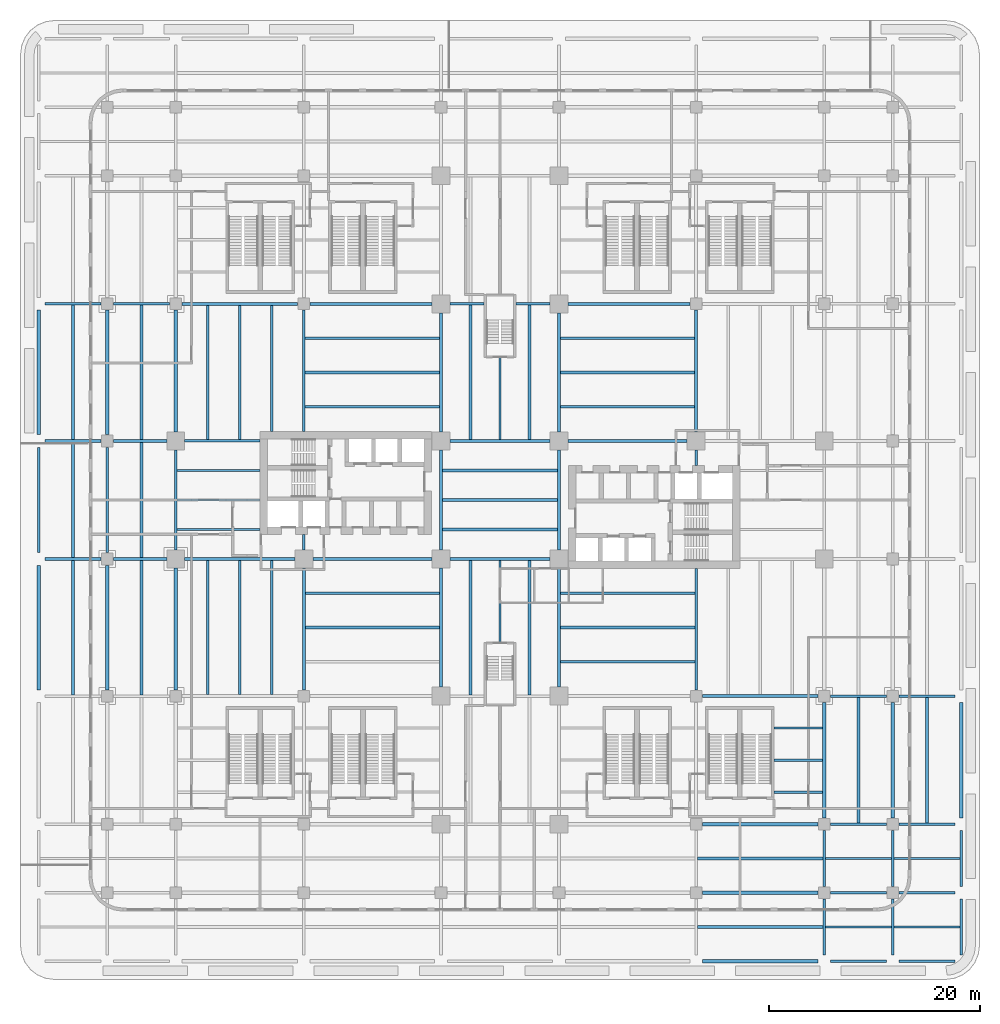
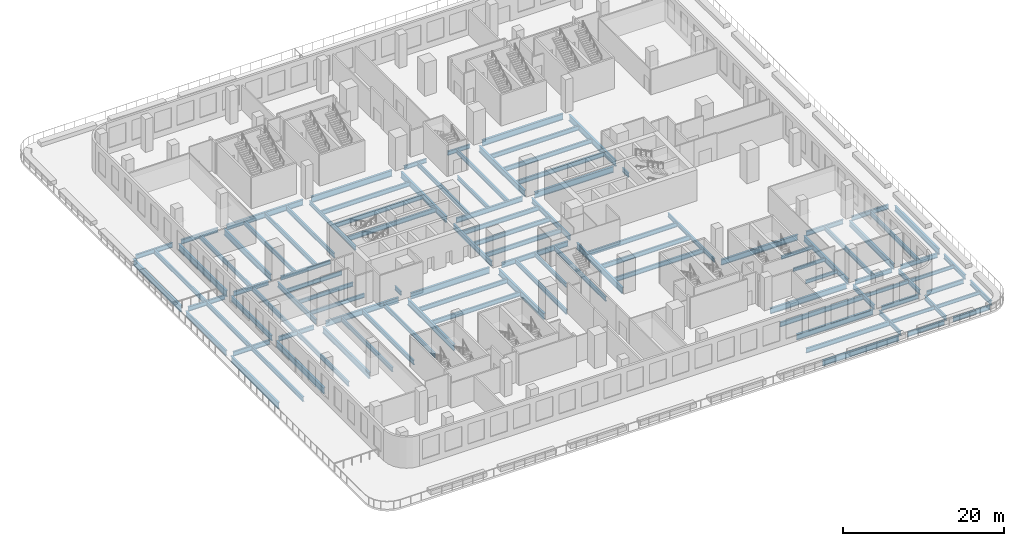
# One storey, part 2 of 18: 105 beams.
"""IFC4 building model written with IfcOpenShell, lengths in metres."""

from ifc_helpers import new_model, si_unit, direction, frame, origin, origin_2d, place, context, subcontext, project, spatial, i_section, extrude, source, transform, mapped, material, material_profile, profile_set, type_object, element, save


model = new_model("IFC4")

# Units and contexts
model_context = context("Model", 3, precision=1e-05, world=origin(), true_north=direction((0.0, 1.0)))
body_context = subcontext(model_context, "Body", "Model", "MODEL_VIEW")
ifc_project = project(units=[si_unit("LENGTHUNIT", "METRE"), si_unit("AREAUNIT", "SQUARE_METRE"), si_unit("VOLUMEUNIT", "CUBIC_METRE"), si_unit("PLANEANGLEUNIT", "RADIAN"), si_unit("MASSUNIT", "GRAM", prefix="KILO")], contexts=[model_context])

# Site, building, storey
site_placement = place(None, origin())
site = spatial("IfcSite", under=ifc_project, at=site_placement, CompositionType="ELEMENT")
building_placement = place(site_placement, origin())
building = spatial("IfcBuilding", under=site, at=building_placement, Name="Trellis Farm Tower", CompositionType="ELEMENT")
storey_placement = place(building_placement, frame((0.0, 0.0, 14.0)))
storey = spatial("IfcBuildingStorey", under=building, at=storey_placement, Name="L02", CompositionType="ELEMENT", Elevation=14.0)

# Beams
ifc_material = material(Name="Steel S355", Category="steel")
ifc_material_profile_1 = material_profile(ifc_material, i_section(OverallWidth=0.253662109375, OverallDepth=0.68359375, WebThickness=0.012451171875, FlangeThickness=0.021728515625, FilletRadius=0.01513671875, at=origin_2d()), Name="UB 686x254x140")
ifc_profile_set_1 = profile_set([ifc_material_profile_1], Name="Steel S355")
beam_type_1 = type_object("IfcBeamType", Name="UB 686x254x140", PredefinedType="BEAM", material=ifc_profile_set_1)
shared_shape_1 = source(origin(), body_context, "Body", "SweptSolid", [
    extrude(i_section(OverallWidth=0.253662109375, OverallDepth=0.68359375, WebThickness=0.012451171875, FlangeThickness=0.021728515625, FilletRadius=0.01513671875, at=origin_2d()), origin(), (0.0, 0.0, 1.0), 5.2998046875),
])
for number, where, z_axis, x_axis, name in (
    (1, (31.35009765625, -43.75, -0.641845703125), (1.0, 0.0, 0.0), (0.0, 1.0, 0.0), "Girder"),
    (2, (37.85009765625, -43.75, -0.641845703125), (1.0, 0.0, 0.0), (0.0, 1.0, 0.0), "Girder"),
    (3, (31.35009765625, -37.25, -0.641845703125), (1.0, 0.0, 0.0), (0.0, 1.0, 0.0), "Girder"),
    (4, (37.85009765625, -37.25, -0.641845703125), (1.0, 0.0, 0.0), (0.0, 1.0, 0.0), "Girder"),
    (5, (31.35009765625, -30.75, -0.641845703125), (1.0, 0.0, 0.0), (0.0, 1.0, 0.0), "Girder"),
    (6, (37.85009765625, -30.75, -0.641845703125), (1.0, 0.0, 0.0), (0.0, 1.0, 0.0), "Girder"),
    (7, (31.35009765625, -18.60009765625, -0.641845703125), (1.0, 0.0, 0.0), (0.0, 1.0, 0.0), "Girder"),
    (8, (37.85009765625, -18.60009765625, -0.641845703125), (1.0, 0.0, 0.0), (0.0, 1.0, 0.0), "Girder"),
    (9, (-43.14990234375, -5.60009765625, -0.641845703125), (1.0, 0.0, 0.0), (0.0, 1.0, 0.0), "Girder"),
    (10, (-43.14990234375, 5.60009765625, -0.641845703125), (1.0, 0.0, 0.0), (0.0, 1.0, 0.0), "Girder"),
    (11, (-43.14990234375, 18.60009765625, -0.641845703125), (1.0, 0.0, 0.0), (0.0, 1.0, 0.0), "Girder"),
    (12, (-36.64990234375, 18.60009765625, -0.641845703125), (1.0, 0.0, 0.0), (0.0, 1.0, 0.0), "Girder"),
    (13, (30.75, -43.14990234375, -0.641845703125), (0.0, 1.0, 0.0), (-1.0, 0.0, 0.0), "Girder"),
    (14, (30.75, -36.64990234375, -0.641845703125), (0.0, 1.0, 0.0), (-1.0, 0.0, 0.0), "Girder"),
    (15, (37.25, -43.14990234375, -0.641845703125), (0.0, 1.0, 0.0), (-1.0, 0.0, 0.0), "Girder"),
    (16, (37.25, -36.64990234375, -0.641845703125), (0.0, 1.0, 0.0), (-1.0, 0.0, 0.0), "Girder"),
    (17, (43.75, -43.14990234375, -0.641845703125), (0.0, 1.0, 0.0), (-1.0, 0.0, 0.0), "Girder"),
    (18, (43.75, -36.64990234375, -0.641845703125), (0.0, 1.0, 0.0), (-1.0, 0.0, 0.0), "Girder"),
):
    element("IfcBeam", number, at=place(storey_placement, frame(where, z_axis=z_axis, x_axis=x_axis)), inside=storey, type_object=beam_type_1, Name=name, PredefinedType="BEAM", context=body_context, shape_type="MappedRepresentation", body=[
        mapped(shared_shape_1, transform((0.0, 0.0, 0.0))),
    ])
ifc_material_profile_2 = material_profile(ifc_material, i_section(OverallWidth=0.305419921875, OverallDepth=0.91845703125, WebThickness=0.017333984375, FlangeThickness=0.02783203125, FilletRadius=0.01904296875, at=origin_2d()), Name="UB 914x305x253")
ifc_profile_set_2 = profile_set([ifc_material_profile_2], Name="Steel S355")
beam_type_2 = type_object("IfcBeamType", Name="UB 914x305x253", PredefinedType="BEAM", material=ifc_profile_set_2)
shared_shape_2 = source(origin(), body_context, "Body", "SweptSolid", [
    extrude(i_section(OverallWidth=0.305419921875, OverallDepth=0.91845703125, WebThickness=0.017333984375, FlangeThickness=0.02783203125, FilletRadius=0.01904296875, at=origin_2d()), origin(), (0.0, 0.0, 1.0), 11.800048828125),
])
for number, where, z_axis, x_axis, name in (
    (19, (-43.75, -18.0, -0.75927734375), (0.0, 1.0, 0.0), (-1.0, 0.0, 0.0), "Girder"),
    (20, (-43.75, 6.199951171875, -0.75927734375), (0.0, 1.0, 0.0), (-1.0, 0.0, 0.0), "Girder"),
    (21, (-37.25, -18.0, -0.75927734375), (0.0, 1.0, 0.0), (-1.0, 0.0, 0.0), "Girder"),
    (22, (-37.25, 6.199951171875, -0.75927734375), (0.0, 1.0, 0.0), (-1.0, 0.0, 0.0), "Girder"),
):
    element("IfcBeam", number, at=place(storey_placement, frame(where, z_axis=z_axis, x_axis=x_axis)), inside=storey, type_object=beam_type_2, Name=name, PredefinedType="BEAM", context=body_context, shape_type="MappedRepresentation", body=[
        mapped(shared_shape_2, transform((0.0, 0.0, 0.0))),
    ])
ifc_material_profile_3 = material_profile(ifc_material, i_section(OverallWidth=0.29248046875, OverallDepth=0.8408203125, WebThickness=0.0146484375, FlangeThickness=0.021728515625, FilletRadius=0.017822265625, at=origin_2d()), Name="UB 838x292x194")
ifc_profile_set_3 = profile_set([ifc_material_profile_3], Name="Steel S355")
beam_type_3 = type_object("IfcBeamType", Name="UB 838x292x194", PredefinedType="BEAM", material=ifc_profile_set_3)
shared_shape_3 = source(origin(), body_context, "Body", "SweptSolid", [
    extrude(i_section(OverallWidth=0.29248046875, OverallDepth=0.8408203125, WebThickness=0.0146484375, FlangeThickness=0.021728515625, FilletRadius=0.017822265625, at=origin_2d()), origin(), (0.0, 0.0, 1.0), 10.949951171875),
])
for number, where, z_axis, x_axis, name in (
    (23, (19.199951171875, -43.75, -0.72021484375), (1.0, 0.0, 0.0), (0.0, 1.0, 0.0), "Girder"),
    (24, (19.199951171875, -37.25, -0.72021484375), (1.0, 0.0, 0.0), (0.0, 1.0, 0.0), "Girder"),
    (25, (19.199951171875, -30.75, -0.72021484375), (1.0, 0.0, 0.0), (0.0, 1.0, 0.0), "Girder"),
    (26, (19.199951171875, -18.60009765625, -0.72021484375), (1.0, 0.0, 0.0), (0.0, 1.0, 0.0), "Girder"),
    (27, (-30.14990234375, 18.60009765625, -0.72021484375), (1.0, 0.0, 0.0), (0.0, 1.0, 0.0), "Girder"),
    (28, (30.75, -30.14990234375, -0.72021484375), (0.0, 1.0, 0.0), (-1.0, 0.0, 0.0), "Girder"),
    (29, (37.25, -30.14990234375, -0.72021484375), (0.0, 1.0, 0.0), (-1.0, 0.0, 0.0), "Girder"),
    (30, (43.75, -30.14990234375, -0.72021484375), (0.0, 1.0, 0.0), (-1.0, 0.0, 0.0), "Girder"),
):
    element("IfcBeam", number, at=place(storey_placement, frame(where, z_axis=z_axis, x_axis=x_axis)), inside=storey, type_object=beam_type_3, Name=name, PredefinedType="BEAM", context=body_context, shape_type="MappedRepresentation", body=[
        mapped(shared_shape_3, transform((0.0, 0.0, 0.0))),
    ])
ifc_material_profile_4 = material_profile(ifc_material, i_section(OverallWidth=0.2666015625, OverallDepth=0.76220703125, WebThickness=0.014404296875, FlangeThickness=0.021484375, FilletRadius=0.0166015625, at=origin_2d()), Name="UB 762x267x173")
ifc_profile_set_4 = profile_set([ifc_material_profile_4], Name="Steel S355")
beam_type_4 = type_object("IfcBeamType", Name="UB 762x267x173", PredefinedType="BEAM", material=ifc_profile_set_4)
shared_shape_4 = source(origin(), body_context, "Body", "SweptSolid", [
    extrude(i_section(OverallWidth=0.2666015625, OverallDepth=0.76220703125, WebThickness=0.014404296875, FlangeThickness=0.021484375, FilletRadius=0.0166015625, at=origin_2d()), origin(), (0.0, 0.0, 1.0), 10.0),
])
for number, where, z_axis, x_axis, name in (
    (31, (-43.75, -5.0, -0.68115234375), (0.0, 1.0, 0.0), (-1.0, 0.0, 0.0), "Girder"),
    (32, (-37.25, -5.0, -0.68115234375), (0.0, 1.0, 0.0), (-1.0, 0.0, 0.0), "Girder"),
):
    element("IfcBeam", number, at=place(storey_placement, frame(where, z_axis=z_axis, x_axis=x_axis)), inside=storey, type_object=beam_type_4, Name=name, PredefinedType="BEAM", context=body_context, shape_type="MappedRepresentation", body=[
        mapped(shared_shape_4, transform((0.0, 0.0, 0.0))),
    ])
shared_shape_5 = source(origin(), body_context, "Body", "SweptSolid", [
    extrude(i_section(OverallWidth=0.305419921875, OverallDepth=0.91845703125, WebThickness=0.017333984375, FlangeThickness=0.02783203125, FilletRadius=0.01904296875, at=origin_2d()), origin(), (0.0, 0.0, 1.0), 11.550048828125),
])
for number, where, z_axis, x_axis, name in (
    (33, (-18.0, 18.60009765625, -0.75927734375), (1.0, 0.0, 0.0), (0.0, 1.0, 0.0), "Girder"),
    (34, (6.449951171875, 18.60009765625, -0.75927734375), (1.0, 0.0, 0.0), (0.0, 1.0, 0.0), "Girder"),
    (35, (-30.75, -18.0, -0.75927734375), (0.0, 1.0, 0.0), (-1.0, 0.0, 0.0), "Girder"),
    (36, (-30.75, 6.449951171875, -0.75927734375), (0.0, 1.0, 0.0), (-1.0, 0.0, 0.0), "Girder"),
    (37, (-18.60009765625, -18.0, -0.75927734375), (0.0, 1.0, 0.0), (-1.0, 0.0, 0.0), "Girder"),
    (38, (18.60009765625, 6.449951171875, -0.75927734375), (0.0, 1.0, 0.0), (-1.0, 0.0, 0.0), "Girder"),
):
    element("IfcBeam", number, at=place(storey_placement, frame(where, z_axis=z_axis, x_axis=x_axis)), inside=storey, type_object=beam_type_2, Name=name, PredefinedType="BEAM", context=body_context, shape_type="MappedRepresentation", body=[
        mapped(shared_shape_5, transform((0.0, 0.0, 0.0))),
    ])
ifc_material_profile_5 = material_profile(ifc_material, i_section(OverallWidth=0.22900390625, OverallDepth=0.6123046875, WebThickness=0.011962890625, FlangeThickness=0.01953125, FilletRadius=0.0126953125, at=origin_2d()), Name="UB 610x229x125")
ifc_profile_set_5 = profile_set([ifc_material_profile_5], Name="Steel S355")
beam_type_5 = type_object("IfcBeamType", Name="UB 610x229x125", PredefinedType="BEAM", material=ifc_profile_set_5)
shared_shape_6 = source(origin(), body_context, "Body", "SweptSolid", [
    extrude(i_section(OverallWidth=0.22900390625, OverallDepth=0.6123046875, WebThickness=0.011962890625, FlangeThickness=0.01953125, FilletRadius=0.0126953125, at=origin_2d()), origin(), (0.0, 0.0, 1.0), 3.25),
])
for number, where, z_axis, x_axis, name in (
    (39, (-4.75, 18.60009765625, -0.606201171875), (1.0, 0.0, 0.0), (0.0, 1.0, 0.0), "Girder"),
    (40, (1.5, 18.60009765625, -0.606201171875), (1.0, 0.0, 0.0), (0.0, 1.0, 0.0), "Girder"),
):
    element("IfcBeam", number, at=place(storey_placement, frame(where, z_axis=z_axis, x_axis=x_axis)), inside=storey, type_object=beam_type_5, Name=name, PredefinedType="BEAM", context=body_context, shape_type="MappedRepresentation", body=[
        mapped(shared_shape_6, transform((0.0, 0.0, 0.0))),
    ])
shared_shape_7 = source(origin(), body_context, "Body", "SweptSolid", [
    extrude(i_section(OverallWidth=0.2666015625, OverallDepth=0.76220703125, WebThickness=0.014404296875, FlangeThickness=0.021484375, FilletRadius=0.0166015625, at=origin_2d()), origin(), (0.0, 0.0, 1.0), 9.5),
])
for number, where, z_axis, x_axis, name in (
    (41, (-4.75, -5.60009765625, -0.68115234375), (1.0, 0.0, 0.0), (0.0, 1.0, 0.0), "Girder"),
    (42, (-4.75, 5.60009765625, -0.68115234375), (1.0, 0.0, 0.0), (0.0, 1.0, 0.0), "Girder"),
    (43, (-30.75, -4.75, -0.68115234375), (0.0, 1.0, 0.0), (-1.0, 0.0, 0.0), "Girder"),
    (44, (-5.60009765625, -4.75, -0.68115234375), (0.0, 1.0, 0.0), (-1.0, 0.0, 0.0), "Girder"),
    (45, (5.60009765625, -4.75, -0.68115234375), (0.0, 1.0, 0.0), (-1.0, 0.0, 0.0), "Girder"),
):
    element("IfcBeam", number, at=place(storey_placement, frame(where, z_axis=z_axis, x_axis=x_axis)), inside=storey, type_object=beam_type_4, Name=name, PredefinedType="BEAM", context=body_context, shape_type="MappedRepresentation", body=[
        mapped(shared_shape_7, transform((0.0, 0.0, 0.0))),
    ])
shared_shape_8 = source(origin(), body_context, "Body", "SweptSolid", [
    extrude(i_section(OverallWidth=0.253662109375, OverallDepth=0.68359375, WebThickness=0.012451171875, FlangeThickness=0.021728515625, FilletRadius=0.01513671875, at=origin_2d()), origin(), (0.0, 0.0, 1.0), 5.0498046875),
])
for number, where, z_axis, x_axis, name in (
    (46, (-36.64990234375, -5.60009765625, -0.641845703125), (1.0, 0.0, 0.0), (0.0, 1.0, 0.0), "Girder"),
    (47, (-36.64990234375, 5.60009765625, -0.641845703125), (1.0, 0.0, 0.0), (0.0, 1.0, 0.0), "Girder"),
):
    element("IfcBeam", number, at=place(storey_placement, frame(where, z_axis=z_axis, x_axis=x_axis)), inside=storey, type_object=beam_type_1, Name=name, PredefinedType="BEAM", context=body_context, shape_type="MappedRepresentation", body=[
        mapped(shared_shape_8, transform((0.0, 0.0, 0.0))),
    ])
shared_shape_9 = source(origin(), body_context, "Body", "SweptSolid", [
    extrude(i_section(OverallWidth=0.22900390625, OverallDepth=0.6123046875, WebThickness=0.011962890625, FlangeThickness=0.01953125, FilletRadius=0.0126953125, at=origin_2d()), origin(), (0.0, 0.0, 1.0), 7.14990234375),
])
beam_1_placement = place(storey_placement, frame((-29.89990234375, 5.60009765625, -0.606201171875), z_axis=(1.0, 0.0, 0.0), x_axis=(0.0, 1.0, 0.0)))
element("IfcBeam", 48, at=beam_1_placement, inside=storey, type_object=beam_type_5, Name="Girder", PredefinedType="BEAM", context=body_context, shape_type="MappedRepresentation", body=[
    mapped(shared_shape_9, transform((0.0, 0.0, 0.0))),
])
shared_shape_10 = source(origin(), body_context, "Body", "SweptSolid", [
    extrude(i_section(OverallWidth=0.305419921875, OverallDepth=0.91845703125, WebThickness=0.017333984375, FlangeThickness=0.02783203125, FilletRadius=0.01904296875, at=origin_2d()), origin(), (0.0, 0.0, 1.0), 11.300048828125),
])
for number, where, z_axis, x_axis, name in (
    (49, (-17.75, -5.60009765625, -0.75927734375), (1.0, 0.0, 0.0), (0.0, 1.0, 0.0), "Girder"),
    (50, (6.449951171875, 5.60009765625, -0.75927734375), (1.0, 0.0, 0.0), (0.0, 1.0, 0.0), "Girder"),
    (51, (-5.60009765625, -17.75, -0.75927734375), (0.0, 1.0, 0.0), (-1.0, 0.0, 0.0), "Girder"),
    (52, (-5.60009765625, 6.449951171875, -0.75927734375), (0.0, 1.0, 0.0), (-1.0, 0.0, 0.0), "Girder"),
    (53, (5.60009765625, -17.75, -0.75927734375), (0.0, 1.0, 0.0), (-1.0, 0.0, 0.0), "Girder"),
    (54, (5.60009765625, 6.449951171875, -0.75927734375), (0.0, 1.0, 0.0), (-1.0, 0.0, 0.0), "Girder"),
):
    element("IfcBeam", number, at=place(storey_placement, frame(where, z_axis=z_axis, x_axis=x_axis)), inside=storey, type_object=beam_type_2, Name=name, PredefinedType="BEAM", context=body_context, shape_type="MappedRepresentation", body=[
        mapped(shared_shape_10, transform((0.0, 0.0, 0.0))),
    ])
shared_shape_11 = source(origin(), body_context, "Body", "SweptSolid", [
    extrude(i_section(OverallWidth=0.29248046875, OverallDepth=0.8408203125, WebThickness=0.0146484375, FlangeThickness=0.021728515625, FilletRadius=0.017822265625, at=origin_2d()), origin(), (0.0, 0.0, 1.0), 10.449951171875),
])
beam_2_placement = place(storey_placement, frame((-29.89990234375, -5.60009765625, -0.72021484375), z_axis=(1.0, 0.0, 0.0), x_axis=(0.0, 1.0, 0.0)))
element("IfcBeam", 55, at=beam_2_placement, inside=storey, type_object=beam_type_3, Name="Girder", PredefinedType="BEAM", context=body_context, shape_type="MappedRepresentation", body=[
    mapped(shared_shape_11, transform((0.0, 0.0, 0.0))),
])
shared_shape_12 = source(origin(), body_context, "Body", "SweptSolid", [
    extrude(i_section(OverallWidth=0.22900390625, OverallDepth=0.6123046875, WebThickness=0.011962890625, FlangeThickness=0.01953125, FilletRadius=0.0126953125, at=origin_2d()), origin(), (0.0, 0.0, 1.0), 11.5),
])
for number, where, z_axis, x_axis, name in (
    (56, (-18.60009765625, 6.5, -0.606201171875), (0.0, 1.0, 0.0), (-1.0, 0.0, 0.0), "Girder"),
    (57, (18.60009765625, -18.0, -0.606201171875), (0.0, 1.0, 0.0), (-1.0, 0.0, 0.0), "Girder"),
):
    element("IfcBeam", number, at=place(storey_placement, frame(where, z_axis=z_axis, x_axis=x_axis)), inside=storey, type_object=beam_type_5, Name=name, PredefinedType="BEAM", context=body_context, shape_type="MappedRepresentation", body=[
        mapped(shared_shape_12, transform((0.0, 0.0, 0.0))),
    ])
shared_shape_13 = source(origin(), body_context, "Body", "SweptSolid", [
    extrude(i_section(OverallWidth=0.22900390625, OverallDepth=0.6123046875, WebThickness=0.011962890625, FlangeThickness=0.01953125, FilletRadius=0.0126953125, at=origin_2d()), origin(), (0.0, 0.0, 1.0), 1.5),
])
for number, where, z_axis, x_axis, name in (
    (58, (-18.60009765625, -4.75, -0.606201171875), (0.0, 1.0, 0.0), (-1.0, 0.0, 0.0), "Girder"),
    (59, (18.60009765625, 3.25, -0.606201171875), (0.0, 1.0, 0.0), (-1.0, 0.0, 0.0), "Girder"),
):
    element("IfcBeam", number, at=place(storey_placement, frame(where, z_axis=z_axis, x_axis=x_axis)), inside=storey, type_object=beam_type_5, Name=name, PredefinedType="BEAM", context=body_context, shape_type="MappedRepresentation", body=[
        mapped(shared_shape_13, transform((0.0, 0.0, 0.0))),
    ])
ifc_material_profile_6 = material_profile(ifc_material, i_section(OverallWidth=0.253662109375, OverallDepth=0.68359375, WebThickness=0.012451171875, FlangeThickness=0.021728515625, FilletRadius=0.01513671875, at=origin_2d()), Name="UB 686x254x140")
ifc_profile_set_6 = profile_set([ifc_material_profile_6], Name="Steel S355")
beam_type_6 = type_object("IfcBeamType", Name="UB 686x254x140 joist", PredefinedType="JOIST", material=ifc_profile_set_6)
shared_shape_14 = source(origin(), body_context, "Body", "SweptSolid", [
    extrude(i_section(OverallWidth=0.253662109375, OverallDepth=0.68359375, WebThickness=0.012451171875, FlangeThickness=0.021728515625, FilletRadius=0.01513671875, at=origin_2d()), origin(), (0.0, 0.0, 1.0), 12.746337890625),
])
for number, where, z_axis, x_axis, name in (
    (60, (-40.5, -18.47314453125, -0.641845703125), (0.0, 1.0, 0.0), (-1.0, 0.0, 0.0), "Floor beam"),
    (61, (-40.5, 5.726806640625, -0.641845703125), (0.0, 1.0, 0.0), (-1.0, 0.0, 0.0), "Floor beam"),
    (62, (-34.0, -18.47314453125, -0.641845703125), (0.0, 1.0, 0.0), (-1.0, 0.0, 0.0), "Floor beam"),
    (63, (-34.0, 5.726806640625, -0.641845703125), (0.0, 1.0, 0.0), (-1.0, 0.0, 0.0), "Floor beam"),
):
    element("IfcBeam", number, at=place(storey_placement, frame(where, z_axis=z_axis, x_axis=x_axis)), inside=storey, type_object=beam_type_6, Name=name, PredefinedType="JOIST", context=body_context, shape_type="MappedRepresentation", body=[
        mapped(shared_shape_14, transform((0.0, 0.0, 0.0))),
    ])
shared_shape_15 = source(origin(), body_context, "Body", "SweptSolid", [
    extrude(i_section(OverallWidth=0.253662109375, OverallDepth=0.68359375, WebThickness=0.012451171875, FlangeThickness=0.021728515625, FilletRadius=0.01513671875, at=origin_2d()), origin(), (0.0, 0.0, 1.0), 11.896240234375),
])
for number, where, z_axis, x_axis, name in (
    (64, (18.726806640625, -40.5, -0.641845703125), (1.0, 0.0, 0.0), (0.0, 1.0, 0.0), "Floor beam"),
    (65, (18.726806640625, -34.0, -0.641845703125), (1.0, 0.0, 0.0), (0.0, 1.0, 0.0), "Floor beam"),
    (66, (34.0, -30.623046875, -0.641845703125), (0.0, 1.0, 0.0), (-1.0, 0.0, 0.0), "Floor beam"),
    (67, (40.5, -30.623046875, -0.641845703125), (0.0, 1.0, 0.0), (-1.0, 0.0, 0.0), "Floor beam"),
):
    element("IfcBeam", number, at=place(storey_placement, frame(where, z_axis=z_axis, x_axis=x_axis)), inside=storey, type_object=beam_type_6, Name=name, PredefinedType="JOIST", context=body_context, shape_type="MappedRepresentation", body=[
        mapped(shared_shape_15, transform((0.0, 0.0, 0.0))),
    ])
ifc_material_profile_7 = material_profile(ifc_material, i_section(OverallWidth=0.209228515625, OverallDepth=0.533203125, WebThickness=0.010009765625, FlangeThickness=0.015625, FilletRadius=0.0126953125, at=origin_2d()), Name="UB 533x210x92")
ifc_profile_set_7 = profile_set([ifc_material_profile_7], Name="Steel S355")
beam_type_7 = type_object("IfcBeamType", Name="UB 533x210x92 joist", PredefinedType="JOIST", material=ifc_profile_set_7)
shared_shape_16 = source(origin(), body_context, "Body", "SweptSolid", [
    extrude(i_section(OverallWidth=0.209228515625, OverallDepth=0.533203125, WebThickness=0.010009765625, FlangeThickness=0.015625, FilletRadius=0.0126953125, at=origin_2d()), origin(), (0.0, 0.0, 1.0), 6.246337890625),
])
for number, where, z_axis, x_axis, name in (
    (68, (30.876953125, -40.5, -0.566650390625), (1.0, 0.0, 0.0), (0.0, 1.0, 0.0), "Floor beam"),
    (69, (30.876953125, -34.0, -0.566650390625), (1.0, 0.0, 0.0), (0.0, 1.0, 0.0), "Floor beam"),
):
    element("IfcBeam", number, at=place(storey_placement, frame(where, z_axis=z_axis, x_axis=x_axis)), inside=storey, type_object=beam_type_7, Name=name, PredefinedType="JOIST", context=body_context, shape_type="MappedRepresentation", body=[
        mapped(shared_shape_16, transform((0.0, 0.0, 0.0))),
    ])
shared_shape_17 = source(origin(), body_context, "Body", "SweptSolid", [
    extrude(i_section(OverallWidth=0.209228515625, OverallDepth=0.533203125, WebThickness=0.010009765625, FlangeThickness=0.015625, FilletRadius=0.0126953125, at=origin_2d()), origin(), (0.0, 0.0, 1.0), 6.24658203125),
])
for number, where, z_axis, x_axis, name in (
    (70, (37.376708984375, -40.5, -0.566650390625), (1.0, 0.0, 0.0), (0.0, 1.0, 0.0), "Floor beam"),
    (71, (37.376708984375, -34.0, -0.566650390625), (1.0, 0.0, 0.0), (0.0, 1.0, 0.0), "Floor beam"),
):
    element("IfcBeam", number, at=place(storey_placement, frame(where, z_axis=z_axis, x_axis=x_axis)), inside=storey, type_object=beam_type_7, Name=name, PredefinedType="JOIST", context=body_context, shape_type="MappedRepresentation", body=[
        mapped(shared_shape_17, transform((0.0, 0.0, 0.0))),
    ])
shared_shape_18 = source(origin(), body_context, "Body", "SweptSolid", [
    extrude(i_section(OverallWidth=0.253662109375, OverallDepth=0.68359375, WebThickness=0.012451171875, FlangeThickness=0.021728515625, FilletRadius=0.01513671875, at=origin_2d()), origin(), (0.0, 0.0, 1.0), 10.9462890625),
])
for number, where, z_axis, x_axis, name in (
    (72, (-40.5, -5.47314453125, -0.641845703125), (0.0, 1.0, 0.0), (-1.0, 0.0, 0.0), "Floor beam"),
    (73, (-34.0, -5.47314453125, -0.641845703125), (0.0, 1.0, 0.0), (-1.0, 0.0, 0.0), "Floor beam"),
):
    element("IfcBeam", number, at=place(storey_placement, frame(where, z_axis=z_axis, x_axis=x_axis)), inside=storey, type_object=beam_type_6, Name=name, PredefinedType="JOIST", context=body_context, shape_type="MappedRepresentation", body=[
        mapped(shared_shape_18, transform((0.0, 0.0, 0.0))),
    ])
shared_shape_19 = source(origin(), body_context, "Body", "SweptSolid", [
    extrude(i_section(OverallWidth=0.209228515625, OverallDepth=0.533203125, WebThickness=0.010009765625, FlangeThickness=0.015625, FilletRadius=0.0126953125, at=origin_2d()), origin(), (0.0, 0.0, 1.0), 4.603759765625),
])
for number, where, z_axis, x_axis, name in (
    (74, (26.0, -27.71240234375, -0.566650390625), (1.0, 0.0, 0.0), (0.0, 1.0, 0.0), "Floor beam"),
    (75, (26.0, -24.675048828125, -0.566650390625), (1.0, 0.0, 0.0), (0.0, 1.0, 0.0), "Floor beam"),
    (76, (26.0, -21.637451171875, -0.566650390625), (1.0, 0.0, 0.0), (0.0, 1.0, 0.0), "Floor beam"),
):
    element("IfcBeam", number, at=place(storey_placement, frame(where, z_axis=z_axis, x_axis=x_axis)), inside=storey, type_object=beam_type_7, Name=name, PredefinedType="JOIST", context=body_context, shape_type="MappedRepresentation", body=[
        mapped(shared_shape_19, transform((0.0, 0.0, 0.0))),
    ])
shared_shape_20 = source(origin(), body_context, "Body", "SweptSolid", [
    extrude(i_section(OverallWidth=0.253662109375, OverallDepth=0.68359375, WebThickness=0.012451171875, FlangeThickness=0.021728515625, FilletRadius=0.01513671875, at=origin_2d()), origin(), (0.0, 0.0, 1.0), 12.694580078125),
])
for number, where, z_axis, x_axis, name in (
    (77, (-18.447265625, -12.10009765625, -0.641845703125), (1.0, 0.0, 0.0), (0.0, 1.0, 0.0), "Floor beam"),
    (78, (-18.447265625, -8.85009765625, -0.641845703125), (1.0, 0.0, 0.0), (0.0, 1.0, 0.0), "Floor beam"),
    (79, (5.752685546875, 8.85009765625, -0.641845703125), (1.0, 0.0, 0.0), (0.0, 1.0, 0.0), "Floor beam"),
    (80, (5.752685546875, 12.10009765625, -0.641845703125), (1.0, 0.0, 0.0), (0.0, 1.0, 0.0), "Floor beam"),
    (81, (5.752685546875, 15.35009765625, -0.641845703125), (1.0, 0.0, 0.0), (0.0, 1.0, 0.0), "Floor beam"),
):
    element("IfcBeam", number, at=place(storey_placement, frame(where, z_axis=z_axis, x_axis=x_axis)), inside=storey, type_object=beam_type_6, Name=name, PredefinedType="JOIST", context=body_context, shape_type="MappedRepresentation", body=[
        mapped(shared_shape_20, transform((0.0, 0.0, 0.0))),
    ])
shared_shape_21 = source(origin(), body_context, "Body", "SweptSolid", [
    extrude(i_section(OverallWidth=0.253662109375, OverallDepth=0.68359375, WebThickness=0.012451171875, FlangeThickness=0.021728515625, FilletRadius=0.01513671875, at=origin_2d()), origin(), (0.0, 0.0, 1.0), 12.73291015625),
])
for number, where, z_axis, x_axis, name in (
    (82, (5.752685546875, -15.35009765625, -0.641845703125), (1.0, 0.0, 0.0), (0.0, 1.0, 0.0), "Floor beam"),
    (83, (5.752685546875, -12.10009765625, -0.641845703125), (1.0, 0.0, 0.0), (0.0, 1.0, 0.0), "Floor beam"),
    (84, (5.752685546875, -8.85009765625, -0.641845703125), (1.0, 0.0, 0.0), (0.0, 1.0, 0.0), "Floor beam"),
    (85, (-18.485595703125, 8.85009765625, -0.641845703125), (1.0, 0.0, 0.0), (0.0, 1.0, 0.0), "Floor beam"),
    (86, (-18.485595703125, 12.10009765625, -0.641845703125), (1.0, 0.0, 0.0), (0.0, 1.0, 0.0), "Floor beam"),
    (87, (-18.485595703125, 15.35009765625, -0.641845703125), (1.0, 0.0, 0.0), (0.0, 1.0, 0.0), "Floor beam"),
):
    element("IfcBeam", number, at=place(storey_placement, frame(where, z_axis=z_axis, x_axis=x_axis)), inside=storey, type_object=beam_type_6, Name=name, PredefinedType="JOIST", context=body_context, shape_type="MappedRepresentation", body=[
        mapped(shared_shape_21, transform((0.0, 0.0, 0.0))),
    ])
ifc_material_profile_8 = material_profile(ifc_material, i_section(OverallWidth=0.2275390625, OverallDepth=0.6025390625, WebThickness=0.010498046875, FlangeThickness=0.014892578125, FilletRadius=0.0126953125, at=origin_2d()), Name="UB 610x229x101")
ifc_profile_set_8 = profile_set([ifc_material_profile_8], Name="Steel S355")
beam_type_8 = type_object("IfcBeamType", Name="UB 610x229x101 joist", PredefinedType="JOIST", material=ifc_profile_set_8)
shared_shape_22 = source(origin(), body_context, "Body", "SweptSolid", [
    extrude(i_section(OverallWidth=0.2275390625, OverallDepth=0.6025390625, WebThickness=0.010498046875, FlangeThickness=0.014892578125, FilletRadius=0.0126953125, at=origin_2d()), origin(), (0.0, 0.0, 1.0), 7.86669921875),
])
for number, where, z_axis, x_axis, name in (
    (88, (-30.61669921875, -2.800048828125, -0.601318359375), (1.0, 0.0, 0.0), (0.0, 1.0, 0.0), "Floor beam"),
    (89, (-30.61669921875, 0.0, -0.601318359375), (1.0, 0.0, 0.0), (0.0, 1.0, 0.0), "Floor beam"),
    (90, (-30.61669921875, 2.800048828125, -0.601318359375), (1.0, 0.0, 0.0), (0.0, 1.0, 0.0), "Floor beam"),
):
    element("IfcBeam", number, at=place(storey_placement, frame(where, z_axis=z_axis, x_axis=x_axis)), inside=storey, type_object=beam_type_8, Name=name, PredefinedType="JOIST", context=body_context, shape_type="MappedRepresentation", body=[
        mapped(shared_shape_22, transform((0.0, 0.0, 0.0))),
    ])
shared_shape_23 = source(origin(), body_context, "Body", "SweptSolid", [
    extrude(i_section(OverallWidth=0.253662109375, OverallDepth=0.68359375, WebThickness=0.012451171875, FlangeThickness=0.021728515625, FilletRadius=0.01513671875, at=origin_2d()), origin(), (0.0, 0.0, 1.0), 10.93310546875),
])
for number, where, z_axis, x_axis, name in (
    (91, (-5.466552734375, -2.800048828125, -0.641845703125), (1.0, 0.0, 0.0), (0.0, 1.0, 0.0), "Floor beam"),
    (92, (-5.466552734375, 0.0, -0.641845703125), (1.0, 0.0, 0.0), (0.0, 1.0, 0.0), "Floor beam"),
    (93, (-5.466552734375, 2.800048828125, -0.641845703125), (1.0, 0.0, 0.0), (0.0, 1.0, 0.0), "Floor beam"),
):
    element("IfcBeam", number, at=place(storey_placement, frame(where, z_axis=z_axis, x_axis=x_axis)), inside=storey, type_object=beam_type_6, Name=name, PredefinedType="JOIST", context=body_context, shape_type="MappedRepresentation", body=[
        mapped(shared_shape_23, transform((0.0, 0.0, 0.0))),
    ])
shared_shape_24 = source(origin(), body_context, "Body", "SweptSolid", [
    extrude(i_section(OverallWidth=0.253662109375, OverallDepth=0.68359375, WebThickness=0.012451171875, FlangeThickness=0.021728515625, FilletRadius=0.01513671875, at=origin_2d()), origin(), (0.0, 0.0, 1.0), 12.707763671875),
])
for number, where, z_axis, x_axis, name in (
    (94, (-27.71240234375, -18.453857421875, -0.641845703125), (0.0, 1.0, 0.0), (-1.0, 0.0, 0.0), "Floor beam"),
    (95, (-24.675048828125, -18.453857421875, -0.641845703125), (0.0, 1.0, 0.0), (-1.0, 0.0, 0.0), "Floor beam"),
    (96, (-21.637451171875, -18.453857421875, -0.641845703125), (0.0, 1.0, 0.0), (-1.0, 0.0, 0.0), "Floor beam"),
):
    element("IfcBeam", number, at=place(storey_placement, frame(where, z_axis=z_axis, x_axis=x_axis)), inside=storey, type_object=beam_type_6, Name=name, PredefinedType="JOIST", context=body_context, shape_type="MappedRepresentation", body=[
        mapped(shared_shape_24, transform((0.0, 0.0, 0.0))),
    ])
shared_shape_25 = source(origin(), body_context, "Body", "SweptSolid", [
    extrude(i_section(OverallWidth=0.253662109375, OverallDepth=0.68359375, WebThickness=0.012451171875, FlangeThickness=0.021728515625, FilletRadius=0.01513671875, at=origin_2d()), origin(), (0.0, 0.0, 1.0), 12.7392578125),
])
for number, where, z_axis, x_axis, name in (
    (97, (-27.71240234375, 5.714599609375, -0.641845703125), (0.0, 1.0, 0.0), (-1.0, 0.0, 0.0), "Floor beam"),
    (98, (-24.675048828125, 5.714599609375, -0.641845703125), (0.0, 1.0, 0.0), (-1.0, 0.0, 0.0), "Floor beam"),
):
    element("IfcBeam", number, at=place(storey_placement, frame(where, z_axis=z_axis, x_axis=x_axis)), inside=storey, type_object=beam_type_6, Name=name, PredefinedType="JOIST", context=body_context, shape_type="MappedRepresentation", body=[
        mapped(shared_shape_25, transform((0.0, 0.0, 0.0))),
    ])
shared_shape_26 = source(origin(), body_context, "Body", "SweptSolid", [
    extrude(i_section(OverallWidth=0.253662109375, OverallDepth=0.68359375, WebThickness=0.012451171875, FlangeThickness=0.021728515625, FilletRadius=0.01513671875, at=origin_2d()), origin(), (0.0, 0.0, 1.0), 12.752197265625),
])
for number, where, z_axis, x_axis, name in (
    (99, (-2.800048828125, -18.485595703125, -0.641845703125), (0.0, 1.0, 0.0), (-1.0, 0.0, 0.0), "Floor beam"),
    (100, (-2.800048828125, 5.7333984375, -0.641845703125), (0.0, 1.0, 0.0), (-1.0, 0.0, 0.0), "Floor beam"),
    (101, (2.800048828125, -18.485595703125, -0.641845703125), (0.0, 1.0, 0.0), (-1.0, 0.0, 0.0), "Floor beam"),
    (102, (2.800048828125, 5.7333984375, -0.641845703125), (0.0, 1.0, 0.0), (-1.0, 0.0, 0.0), "Floor beam"),
):
    element("IfcBeam", number, at=place(storey_placement, frame(where, z_axis=z_axis, x_axis=x_axis)), inside=storey, type_object=beam_type_6, Name=name, PredefinedType="JOIST", context=body_context, shape_type="MappedRepresentation", body=[
        mapped(shared_shape_26, transform((0.0, 0.0, 0.0))),
    ])
shared_shape_27 = source(origin(), body_context, "Body", "SweptSolid", [
    extrude(i_section(OverallWidth=0.2275390625, OverallDepth=0.6025390625, WebThickness=0.010498046875, FlangeThickness=0.014892578125, FilletRadius=0.0126953125, at=origin_2d()), origin(), (0.0, 0.0, 1.0), 7.7666015625),
])
for number, where, z_axis, x_axis, name in (
    (103, (0.0, -13.5, -0.601318359375), (0.0, 1.0, 0.0), (-1.0, 0.0, 0.0), "Floor beam"),
    (104, (0.0, 5.7333984375, -0.601318359375), (0.0, 1.0, 0.0), (-1.0, 0.0, 0.0), "Floor beam"),
):
    element("IfcBeam", number, at=place(storey_placement, frame(where, z_axis=z_axis, x_axis=x_axis)), inside=storey, type_object=beam_type_8, Name=name, PredefinedType="JOIST", context=body_context, shape_type="MappedRepresentation", body=[
        mapped(shared_shape_27, transform((0.0, 0.0, 0.0))),
    ])
shared_shape_28 = source(origin(), body_context, "Body", "SweptSolid", [
    extrude(i_section(OverallWidth=0.253662109375, OverallDepth=0.68359375, WebThickness=0.012451171875, FlangeThickness=0.021728515625, FilletRadius=0.01513671875, at=origin_2d()), origin(), (0.0, 0.0, 1.0), 11.953857421875),
])
beam_3_placement = place(storey_placement, frame((-21.637451171875, 6.5, -0.641845703125), z_axis=(0.0, 1.0, 0.0), x_axis=(-1.0, 0.0, 0.0)))
element("IfcBeam", 105, at=beam_3_placement, inside=storey, type_object=beam_type_6, Name="Floor beam", PredefinedType="JOIST", context=body_context, shape_type="MappedRepresentation", body=[
    mapped(shared_shape_28, transform((0.0, 0.0, 0.0))),
])

save(model, "model.ifc")
